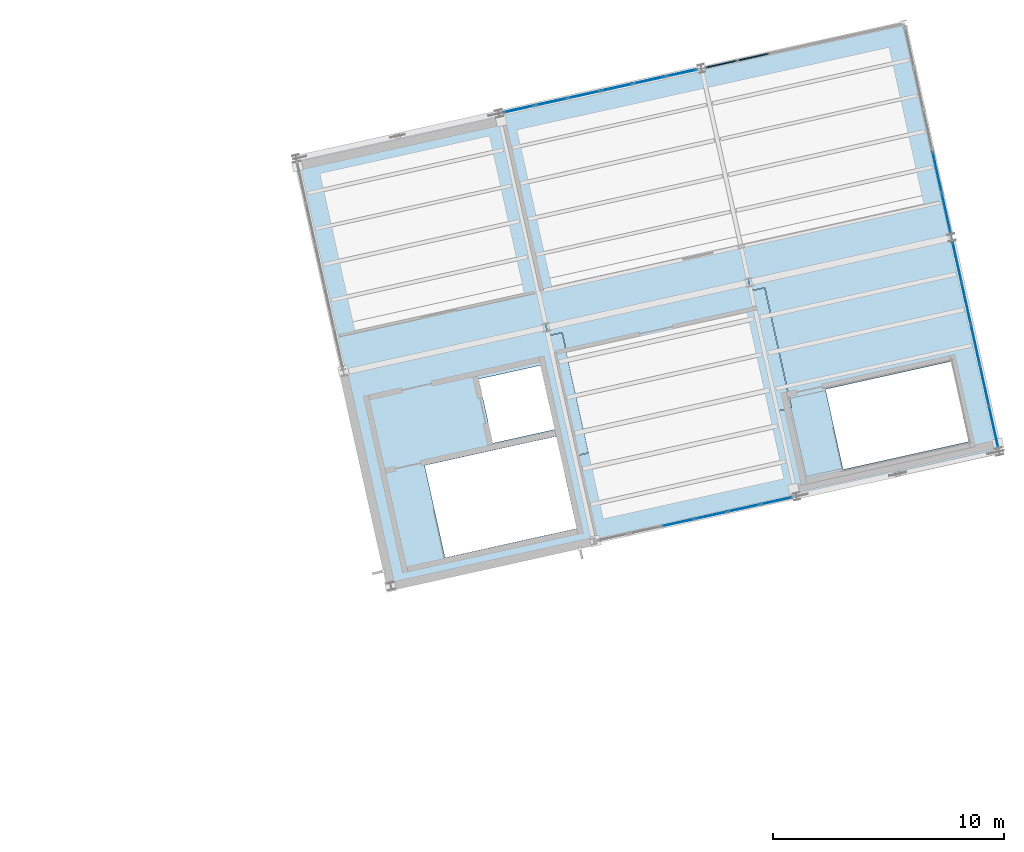
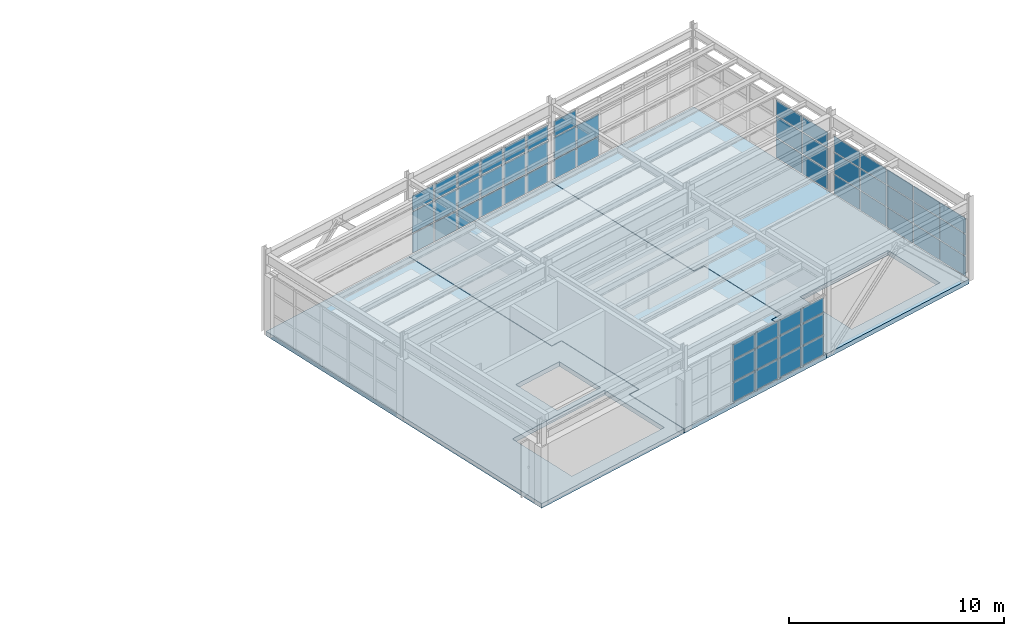
# One storey, part 39 of 59: 56 plates, 3 slabs, 5 elements without a shape of their own.
"""IFC4 building model written with IfcOpenShell, lengths in metres."""

from ifc_helpers import new_model, si_unit, direction, frame, origin, origin_2d, place, context, subcontext, project, spatial, polyline, rectangle, outline, extrude, material, layer, layer_set, type_object, element, aggregate, save


model = new_model("IFC4")

# Units and contexts
model_context = context("Model", 3, precision=1e-05, world=origin(), true_north=direction((0.0, 1.0)))
body_context = subcontext(model_context, "Body", "Model", "MODEL_VIEW")
ifc_project = project(units=[si_unit("LENGTHUNIT", "METRE"), si_unit("AREAUNIT", "SQUARE_METRE"), si_unit("VOLUMEUNIT", "CUBIC_METRE"), si_unit("PLANEANGLEUNIT", "RADIAN"), si_unit("MASSUNIT", "GRAM", prefix="KILO")], contexts=[model_context])

# Site, building, storey
site_placement = place(None, origin())
site = spatial("IfcSite", under=ifc_project, at=site_placement, CompositionType="ELEMENT")
building_placement = place(site_placement, origin())
building = spatial("IfcBuilding", under=site, at=building_placement, Name="Vireo Bluff Cable Station", CompositionType="ELEMENT")
storey_placement = place(building_placement, frame((0.0, 0.0, 14.39990234375)))
storey = spatial("IfcBuildingStorey", under=building, at=storey_placement, Name="L03", CompositionType="ELEMENT", Elevation=14.39990234375)

# Curtain wall, plates
ifc_material_1 = material(Name="Anodized Aluminium 6063-T6", Category="aluminium")
ifc_layer_1 = layer(ifc_material_1, 0.159912109375, Name="Anodized Aluminium 6063-T6")
ifc_layer_set_1 = layer_set([ifc_layer_1], Name="Anodized Aluminium 6063-T6")
curtain_wall_type_1 = type_object("IfcCurtainWallType", Name="CW-STICK-1850", PredefinedType="USERDEFINED", material=ifc_layer_set_1)
curtain_wall_1_placement = place(storey_placement, origin())
curtain_wall_1 = element("IfcCurtainWall", 1, at=curtain_wall_1_placement, inside=storey, type_object=curtain_wall_type_1, Name="V2 L03 east curtain wall CW-065", ObjectType="STICK CURTAIN WALL", PredefinedType="USERDEFINED")
ifc_material_2 = material(Name="Laminated Low-E Insulated Glass", Category="glass")
ifc_layer_2 = layer(ifc_material_2, 0.028076171875, Name="Laminated Low-E Insulated Glass")
ifc_layer_set_2 = layer_set([ifc_layer_2], Name="Laminated Low-E Insulated Glass")
plate_type_1 = type_object("IfcPlateType", Name="CWP-28-1", PredefinedType="CURTAIN_PANEL", material=ifc_layer_set_2)
plate_1_placement = place(storey_placement, frame((156.402099609375, 103.193603515625, 0.0751953125), z_axis=(0.0, 0.0, 1.0), x_axis=(0.216439563688, -0.97629601826, 0.0)))
plate_1 = element("IfcPlate", 2, at=plate_1_placement, type_object=plate_type_1, Name="CW-065 panel 4.1", PredefinedType="CURTAIN_PANEL", context=body_context, shape_type="SweptSolid", body=[
    extrude(rectangle(XDim=1.766357421875, YDim=0.028076171875, at=origin_2d()), origin(), (0.0, 0.0, 1.0), 1.077392578125),
])
plate_2_placement = place(storey_placement, frame((156.402099609375, 103.193603515625, 1.2275390625), z_axis=(0.0, 0.0, 1.0), x_axis=(0.216439563688, -0.97629601826, 0.0)))
plate_2 = element("IfcPlate", 3, at=plate_2_placement, type_object=plate_type_1, Name="CW-065 panel 4.2", PredefinedType="CURTAIN_PANEL", context=body_context, shape_type="SweptSolid", body=[
    extrude(rectangle(XDim=1.766357421875, YDim=0.028076171875, at=origin_2d()), origin(), (0.0, 0.0, 1.0), 1.18310546875),
])
plate_3_placement = place(storey_placement, frame((156.402099609375, 103.193603515625, 2.4853515625), z_axis=(0.0, 0.0, 1.0), x_axis=(0.216439563688, -0.97629601826, 0.0)))
plate_3 = element("IfcPlate", 4, at=plate_3_placement, type_object=plate_type_1, Name="CW-065 panel 4.3", PredefinedType="CURTAIN_PANEL", context=body_context, shape_type="SweptSolid", body=[
    extrude(rectangle(XDim=1.766357421875, YDim=0.028076171875, at=origin_2d()), origin(), (0.0, 0.0, 1.0), 0.839599609375),
])
plate_4_placement = place(storey_placement, frame((156.79638671875, 101.414306640625, 0.0751953125), z_axis=(0.0, 0.0, 1.0), x_axis=(0.216439563688, -0.97629601826, 0.0)))
plate_4 = element("IfcPlate", 5, at=plate_4_placement, type_object=plate_type_1, Name="CW-065 panel 5.1", PredefinedType="CURTAIN_PANEL", context=body_context, shape_type="SweptSolid", body=[
    extrude(rectangle(XDim=1.728759765625, YDim=0.028076171875, at=origin_2d()), origin(), (0.0, 0.0, 1.0), 1.077392578125),
])
plate_5_placement = place(storey_placement, frame((156.79638671875, 101.414306640625, 1.2275390625), z_axis=(0.0, 0.0, 1.0), x_axis=(0.216439563688, -0.97629601826, 0.0)))
plate_5 = element("IfcPlate", 6, at=plate_5_placement, type_object=plate_type_1, Name="CW-065 panel 5.2", PredefinedType="CURTAIN_PANEL", context=body_context, shape_type="SweptSolid", body=[
    extrude(rectangle(XDim=1.728759765625, YDim=0.028076171875, at=origin_2d()), origin(), (0.0, 0.0, 1.0), 1.18310546875),
])
plate_6_placement = place(storey_placement, frame((156.79638671875, 101.414306640625, 2.4853515625), z_axis=(0.0, 0.0, 1.0), x_axis=(0.216439563688, -0.97629601826, 0.0)))
plate_6 = element("IfcPlate", 7, at=plate_6_placement, type_object=plate_type_1, Name="CW-065 panel 5.3", PredefinedType="CURTAIN_PANEL", context=body_context, shape_type="SweptSolid", body=[
    extrude(rectangle(XDim=1.728759765625, YDim=0.028076171875, at=origin_2d()), origin(), (0.0, 0.0, 1.0), 0.839599609375),
])
aggregate(curtain_wall_1, [plate_1, plate_2, plate_3, plate_4, plate_5, plate_6])

ifc_layer_3 = layer(ifc_material_1, 0.179931640625, Name="Anodized Aluminium 6063-T6")
ifc_layer_set_3 = layer_set([ifc_layer_3], Name="Anodized Aluminium 6063-T6")
curtain_wall_type_2 = type_object("IfcCurtainWallType", Name="CW-UNIT-1500", PredefinedType="USERDEFINED", material=ifc_layer_set_3)
curtain_wall_2_placement = place(storey_placement, origin())
curtain_wall_2 = element("IfcCurtainWall", 8, at=curtain_wall_2_placement, inside=storey, type_object=curtain_wall_type_2, Name="V2 L03 south curtain wall CW-061", ObjectType="UNITISED CURTAIN WALL", PredefinedType="USERDEFINED")
ifc_layer_4 = layer(ifc_material_2, 0.031982421875, Name="Laminated Low-E Insulated Glass")
ifc_layer_set_4 = layer_set([ifc_layer_4], Name="Laminated Low-E Insulated Glass")
plate_type_2 = type_object("IfcPlateType", Name="CWP-32-2", PredefinedType="CURTAIN_PANEL", material=ifc_layer_set_4)
plate_7_placement = place(storey_placement, frame((149.4462890625, 88.928466796875, 0.0751953125), z_axis=(0.0, 0.0, 1.0), x_axis=(-0.976296008914, -0.216439605844, 0.0)))
plate_7 = element("IfcPlate", 9, at=plate_7_placement, type_object=plate_type_2, Name="CW-061 panel 1.1", PredefinedType="CURTAIN_PANEL", context=body_context, shape_type="SweptSolid", body=[
    extrude(rectangle(XDim=1.3486328125, YDim=0.031982421875, at=origin_2d()), origin(), (0.0, 0.0, 1.0), 1.077392578125),
])
plate_8_placement = place(storey_placement, frame((149.4462890625, 88.928466796875, 1.2275390625), z_axis=(0.0, 0.0, 1.0), x_axis=(-0.976296008914, -0.216439605844, 0.0)))
plate_8 = element("IfcPlate", 10, at=plate_8_placement, type_object=plate_type_2, Name="CW-061 panel 1.2", PredefinedType="CURTAIN_PANEL", context=body_context, shape_type="SweptSolid", body=[
    extrude(rectangle(XDim=1.3486328125, YDim=0.031982421875, at=origin_2d()), origin(), (0.0, 0.0, 1.0), 1.18310546875),
])
plate_9_placement = place(storey_placement, frame((149.4462890625, 88.928466796875, 2.4853515625), z_axis=(0.0, 0.0, 1.0), x_axis=(-0.976296008914, -0.216439605844, 0.0)))
plate_9 = element("IfcPlate", 11, at=plate_9_placement, type_object=plate_type_2, Name="CW-061 panel 1.3", PredefinedType="CURTAIN_PANEL", context=body_context, shape_type="SweptSolid", body=[
    extrude(rectangle(XDim=1.3486328125, YDim=0.031982421875, at=origin_2d()), origin(), (0.0, 0.0, 1.0), 0.839599609375),
])
plate_10_placement = place(storey_placement, frame((148.0380859375, 88.616455078125, 0.0751953125), z_axis=(0.0, 0.0, 1.0), x_axis=(-0.976296008914, -0.216439605844, 0.0)))
plate_10 = element("IfcPlate", 12, at=plate_10_placement, type_object=plate_type_2, Name="CW-061 panel 2.1", PredefinedType="CURTAIN_PANEL", context=body_context, shape_type="SweptSolid", body=[
    extrude(rectangle(XDim=1.38623046875, YDim=0.031982421875, at=origin_2d()), origin(), (0.0, 0.0, 1.0), 1.077392578125),
])
plate_11_placement = place(storey_placement, frame((148.0380859375, 88.616455078125, 1.2275390625), z_axis=(0.0, 0.0, 1.0), x_axis=(-0.976296008914, -0.216439605844, 0.0)))
plate_11 = element("IfcPlate", 13, at=plate_11_placement, type_object=plate_type_2, Name="CW-061 panel 2.2", PredefinedType="CURTAIN_PANEL", context=body_context, shape_type="SweptSolid", body=[
    extrude(rectangle(XDim=1.38623046875, YDim=0.031982421875, at=origin_2d()), origin(), (0.0, 0.0, 1.0), 1.18310546875),
])
plate_12_placement = place(storey_placement, frame((148.0380859375, 88.616455078125, 2.4853515625), z_axis=(0.0, 0.0, 1.0), x_axis=(-0.976296008914, -0.216439605844, 0.0)))
plate_12 = element("IfcPlate", 14, at=plate_12_placement, type_object=plate_type_2, Name="CW-061 panel 2.3", PredefinedType="CURTAIN_PANEL", context=body_context, shape_type="SweptSolid", body=[
    extrude(rectangle(XDim=1.38623046875, YDim=0.031982421875, at=origin_2d()), origin(), (0.0, 0.0, 1.0), 0.839599609375),
])
plate_13_placement = place(storey_placement, frame((146.611572265625, 88.300048828125, 0.0751953125), z_axis=(0.0, 0.0, 1.0), x_axis=(-0.976296008914, -0.216439605844, 0.0)))
plate_13 = element("IfcPlate", 15, at=plate_13_placement, type_object=plate_type_2, Name="CW-061 panel 3.1", PredefinedType="CURTAIN_PANEL", context=body_context, shape_type="SweptSolid", body=[
    extrude(rectangle(XDim=1.38623046875, YDim=0.031982421875, at=origin_2d()), origin(), (0.0, 0.0, 1.0), 1.077392578125),
])
plate_14_placement = place(storey_placement, frame((146.611572265625, 88.300048828125, 1.2275390625), z_axis=(0.0, 0.0, 1.0), x_axis=(-0.976296008914, -0.216439605844, 0.0)))
plate_14 = element("IfcPlate", 16, at=plate_14_placement, type_object=plate_type_2, Name="CW-061 panel 3.2", PredefinedType="CURTAIN_PANEL", context=body_context, shape_type="SweptSolid", body=[
    extrude(rectangle(XDim=1.38623046875, YDim=0.031982421875, at=origin_2d()), origin(), (0.0, 0.0, 1.0), 1.18310546875),
])
plate_15_placement = place(storey_placement, frame((146.611572265625, 88.300048828125, 2.4853515625), z_axis=(0.0, 0.0, 1.0), x_axis=(-0.976296008914, -0.216439605844, 0.0)))
plate_15 = element("IfcPlate", 17, at=plate_15_placement, type_object=plate_type_2, Name="CW-061 panel 3.3", PredefinedType="CURTAIN_PANEL", context=body_context, shape_type="SweptSolid", body=[
    extrude(rectangle(XDim=1.38623046875, YDim=0.031982421875, at=origin_2d()), origin(), (0.0, 0.0, 1.0), 0.839599609375),
])
plate_16_placement = place(storey_placement, frame((145.18505859375, 87.98388671875, 0.0751953125), z_axis=(0.0, 0.0, 1.0), x_axis=(-0.976296008914, -0.216439605844, 0.0)))
plate_16 = element("IfcPlate", 18, at=plate_16_placement, type_object=plate_type_2, Name="CW-061 panel 4.1", PredefinedType="CURTAIN_PANEL", context=body_context, shape_type="SweptSolid", body=[
    extrude(rectangle(XDim=1.38623046875, YDim=0.031982421875, at=origin_2d()), origin(), (0.0, 0.0, 1.0), 1.077392578125),
])
plate_17_placement = place(storey_placement, frame((145.18505859375, 87.98388671875, 1.2275390625), z_axis=(0.0, 0.0, 1.0), x_axis=(-0.976296008914, -0.216439605844, 0.0)))
plate_17 = element("IfcPlate", 19, at=plate_17_placement, type_object=plate_type_2, Name="CW-061 panel 4.2", PredefinedType="CURTAIN_PANEL", context=body_context, shape_type="SweptSolid", body=[
    extrude(rectangle(XDim=1.38623046875, YDim=0.031982421875, at=origin_2d()), origin(), (0.0, 0.0, 1.0), 1.18310546875),
])
plate_18_placement = place(storey_placement, frame((145.18505859375, 87.98388671875, 2.4853515625), z_axis=(0.0, 0.0, 1.0), x_axis=(-0.976296008914, -0.216439605844, 0.0)))
plate_18 = element("IfcPlate", 20, at=plate_18_placement, type_object=plate_type_2, Name="CW-061 panel 4.3", PredefinedType="CURTAIN_PANEL", context=body_context, shape_type="SweptSolid", body=[
    extrude(rectangle(XDim=1.38623046875, YDim=0.031982421875, at=origin_2d()), origin(), (0.0, 0.0, 1.0), 0.839599609375),
])
aggregate(curtain_wall_2, [plate_7, plate_8, plate_9, plate_10, plate_11, plate_12, plate_13, plate_14, plate_15, plate_16, plate_17, plate_18])

ifc_layer_5 = layer(ifc_material_1, 0.159912109375, Name="Anodized Aluminium 6063-T6")
ifc_layer_set_5 = layer_set([ifc_layer_5], Name="Anodized Aluminium 6063-T6")
curtain_wall_type_3 = type_object("IfcCurtainWallType", Name="CW-STICK-1750", PredefinedType="USERDEFINED", material=ifc_layer_set_5)
curtain_wall_3_placement = place(storey_placement, origin())
curtain_wall_3 = element("IfcCurtainWall", 21, at=curtain_wall_3_placement, inside=storey, type_object=curtain_wall_type_3, Name="V2 L03 east curtain wall CW-066", ObjectType="STICK CURTAIN WALL", PredefinedType="USERDEFINED")
plate_19_placement = place(storey_placement, frame((157.270751953125, 99.274658203125, 0.06005859375), z_axis=(0.0, 0.0, 1.0), x_axis=(0.216439595757, -0.976296011151, 0.0)))
plate_19 = element("IfcPlate", 22, at=plate_19_placement, type_object=plate_type_2, Name="CW-066 panel 1.1", PredefinedType="CURTAIN_PANEL", context=body_context, shape_type="SweptSolid", body=[
    extrude(rectangle(XDim=1.74609375, YDim=0.031982421875, at=origin_2d()), origin(), (0.0, 0.0, 1.0), 1.10009765625),
])
plate_20_placement = place(storey_placement, frame((157.270751953125, 99.274658203125, 1.22021484375), z_axis=(0.0, 0.0, 1.0), x_axis=(0.216439595757, -0.976296011151, 0.0)))
plate_20 = element("IfcPlate", 23, at=plate_20_placement, type_object=plate_type_2, Name="CW-066 panel 1.2", PredefinedType="CURTAIN_PANEL", context=body_context, shape_type="SweptSolid", body=[
    extrude(rectangle(XDim=1.74609375, YDim=0.031982421875, at=origin_2d()), origin(), (0.0, 0.0, 1.0), 1.197998046875),
])
plate_21_placement = place(storey_placement, frame((157.270751953125, 99.274658203125, 2.47802734375), z_axis=(0.0, 0.0, 1.0), x_axis=(0.216439595757, -0.976296011151, 0.0)))
plate_21 = element("IfcPlate", 24, at=plate_21_placement, type_object=plate_type_2, Name="CW-066 panel 1.3", PredefinedType="CURTAIN_PANEL", context=body_context, shape_type="SweptSolid", body=[
    extrude(rectangle(XDim=1.74609375, YDim=0.031982421875, at=origin_2d()), origin(), (0.0, 0.0, 1.0), 0.862060546875),
])
plate_22_placement = place(storey_placement, frame((157.6650390625, 97.496826171875, 0.06005859375), z_axis=(0.0, 0.0, 1.0), x_axis=(0.216439595757, -0.976296011151, 0.0)))
plate_22 = element("IfcPlate", 25, at=plate_22_placement, type_object=plate_type_2, Name="CW-066 panel 2.1", PredefinedType="CURTAIN_PANEL", context=body_context, shape_type="SweptSolid", body=[
    extrude(rectangle(XDim=1.776123046875, YDim=0.031982421875, at=origin_2d()), origin(), (0.0, 0.0, 1.0), 1.10009765625),
])
plate_23_placement = place(storey_placement, frame((157.6650390625, 97.496826171875, 1.22021484375), z_axis=(0.0, 0.0, 1.0), x_axis=(0.216439595757, -0.976296011151, 0.0)))
plate_23 = element("IfcPlate", 26, at=plate_23_placement, type_object=plate_type_2, Name="CW-066 panel 2.2", PredefinedType="CURTAIN_PANEL", context=body_context, shape_type="SweptSolid", body=[
    extrude(rectangle(XDim=1.776123046875, YDim=0.031982421875, at=origin_2d()), origin(), (0.0, 0.0, 1.0), 1.197998046875),
])
plate_24_placement = place(storey_placement, frame((157.6650390625, 97.496826171875, 2.47802734375), z_axis=(0.0, 0.0, 1.0), x_axis=(0.216439595757, -0.976296011151, 0.0)))
plate_24 = element("IfcPlate", 27, at=plate_24_placement, type_object=plate_type_2, Name="CW-066 panel 2.3", PredefinedType="CURTAIN_PANEL", context=body_context, shape_type="SweptSolid", body=[
    extrude(rectangle(XDim=1.776123046875, YDim=0.031982421875, at=origin_2d()), origin(), (0.0, 0.0, 1.0), 0.862060546875),
])
plate_25_placement = place(storey_placement, frame((158.0625, 95.7041015625, 0.06005859375), z_axis=(0.0, 0.0, 1.0), x_axis=(0.216439595757, -0.976296011151, 0.0)))
plate_25 = element("IfcPlate", 28, at=plate_25_placement, type_object=plate_type_2, Name="CW-066 panel 3.1", PredefinedType="CURTAIN_PANEL", context=body_context, shape_type="SweptSolid", body=[
    extrude(rectangle(XDim=1.776123046875, YDim=0.031982421875, at=origin_2d()), origin(), (0.0, 0.0, 1.0), 1.10009765625),
])
plate_26_placement = place(storey_placement, frame((158.0625, 95.7041015625, 1.22021484375), z_axis=(0.0, 0.0, 1.0), x_axis=(0.216439595757, -0.976296011151, 0.0)))
plate_26 = element("IfcPlate", 29, at=plate_26_placement, type_object=plate_type_2, Name="CW-066 panel 3.2", PredefinedType="CURTAIN_PANEL", context=body_context, shape_type="SweptSolid", body=[
    extrude(rectangle(XDim=1.776123046875, YDim=0.031982421875, at=origin_2d()), origin(), (0.0, 0.0, 1.0), 1.197998046875),
])
plate_27_placement = place(storey_placement, frame((158.0625, 95.7041015625, 2.47802734375), z_axis=(0.0, 0.0, 1.0), x_axis=(0.216439595757, -0.976296011151, 0.0)))
plate_27 = element("IfcPlate", 30, at=plate_27_placement, type_object=plate_type_2, Name="CW-066 panel 3.3", PredefinedType="CURTAIN_PANEL", context=body_context, shape_type="SweptSolid", body=[
    extrude(rectangle(XDim=1.776123046875, YDim=0.031982421875, at=origin_2d()), origin(), (0.0, 0.0, 1.0), 0.862060546875),
])
plate_28_placement = place(storey_placement, frame((158.459716796875, 93.911376953125, 0.06005859375), z_axis=(0.0, 0.0, 1.0), x_axis=(0.216439595757, -0.976296011151, 0.0)))
plate_28 = element("IfcPlate", 31, at=plate_28_placement, type_object=plate_type_2, Name="CW-066 panel 4.1", PredefinedType="CURTAIN_PANEL", context=body_context, shape_type="SweptSolid", body=[
    extrude(rectangle(XDim=1.776123046875, YDim=0.031982421875, at=origin_2d()), origin(), (0.0, 0.0, 1.0), 1.10009765625),
])
plate_29_placement = place(storey_placement, frame((158.459716796875, 93.911376953125, 1.22021484375), z_axis=(0.0, 0.0, 1.0), x_axis=(0.216439595757, -0.976296011151, 0.0)))
plate_29 = element("IfcPlate", 32, at=plate_29_placement, type_object=plate_type_2, Name="CW-066 panel 4.2", PredefinedType="CURTAIN_PANEL", context=body_context, shape_type="SweptSolid", body=[
    extrude(rectangle(XDim=1.776123046875, YDim=0.031982421875, at=origin_2d()), origin(), (0.0, 0.0, 1.0), 1.197998046875),
])
plate_30_placement = place(storey_placement, frame((158.459716796875, 93.911376953125, 2.47802734375), z_axis=(0.0, 0.0, 1.0), x_axis=(0.216439595757, -0.976296011151, 0.0)))
plate_30 = element("IfcPlate", 33, at=plate_30_placement, type_object=plate_type_2, Name="CW-066 panel 4.3", PredefinedType="CURTAIN_PANEL", context=body_context, shape_type="SweptSolid", body=[
    extrude(rectangle(XDim=1.776123046875, YDim=0.031982421875, at=origin_2d()), origin(), (0.0, 0.0, 1.0), 0.862060546875),
])
plate_31_placement = place(storey_placement, frame((158.85400390625, 92.13330078125, 0.06005859375), z_axis=(0.0, 0.0, 1.0), x_axis=(0.216439595757, -0.976296011151, 0.0)))
plate_31 = element("IfcPlate", 34, at=plate_31_placement, type_object=plate_type_2, Name="CW-066 panel 5.1", PredefinedType="CURTAIN_PANEL", context=body_context, shape_type="SweptSolid", body=[
    extrude(rectangle(XDim=1.74609375, YDim=0.031982421875, at=origin_2d()), origin(), (0.0, 0.0, 1.0), 1.10009765625),
])
plate_32_placement = place(storey_placement, frame((158.85400390625, 92.13330078125, 1.22021484375), z_axis=(0.0, 0.0, 1.0), x_axis=(0.216439595757, -0.976296011151, 0.0)))
plate_32 = element("IfcPlate", 35, at=plate_32_placement, type_object=plate_type_2, Name="CW-066 panel 5.2", PredefinedType="CURTAIN_PANEL", context=body_context, shape_type="SweptSolid", body=[
    extrude(rectangle(XDim=1.74609375, YDim=0.031982421875, at=origin_2d()), origin(), (0.0, 0.0, 1.0), 1.197998046875),
])
plate_33_placement = place(storey_placement, frame((158.85400390625, 92.13330078125, 2.47802734375), z_axis=(0.0, 0.0, 1.0), x_axis=(0.216439595757, -0.976296011151, 0.0)))
plate_33 = element("IfcPlate", 36, at=plate_33_placement, type_object=plate_type_2, Name="CW-066 panel 5.3", PredefinedType="CURTAIN_PANEL", context=body_context, shape_type="SweptSolid", body=[
    extrude(rectangle(XDim=1.74609375, YDim=0.031982421875, at=origin_2d()), origin(), (0.0, 0.0, 1.0), 0.862060546875),
])
aggregate(curtain_wall_3, [plate_19, plate_20, plate_21, plate_22, plate_23, plate_24, plate_25, plate_26, plate_27, plate_28, plate_29, plate_30, plate_31, plate_32, plate_33])

ifc_layer_6 = layer(ifc_material_1, 0.179931640625, Name="Anodized Aluminium 6063-T6")
ifc_layer_set_6 = layer_set([ifc_layer_6], Name="Anodized Aluminium 6063-T6")
curtain_wall_type_4 = type_object("IfcCurtainWallType", Name="CW-UNIT-1400", PredefinedType="USERDEFINED", material=ifc_layer_set_6)
curtain_wall_4_placement = place(storey_placement, origin())
curtain_wall_4 = element("IfcCurtainWall", 37, at=curtain_wall_4_placement, inside=storey, type_object=curtain_wall_type_4, Name="V2 L03 north curtain wall CW-063", ObjectType="UNITISED CURTAIN WALL", PredefinedType="USERDEFINED")
ifc_material_3 = material(Name="Insulated Spandrel Glass Panel", Category="glass")
ifc_layer_7 = layer(ifc_material_3, 0.0419921875, Name="Insulated Spandrel Glass Panel")
ifc_layer_set_7 = layer_set([ifc_layer_7], Name="Insulated Spandrel Glass Panel")
plate_type_3 = type_object("IfcPlateType", Name="CWP-42-4", PredefinedType="CURTAIN_PANEL", material=ifc_layer_set_7)
plate_34_placement = place(storey_placement, frame((138.28515625, 105.91552734375, 0.080078125), z_axis=(0.0, 0.0, 1.0), x_axis=(0.976296018963, 0.216439560519, 0.0)))
plate_34 = element("IfcPlate", 38, at=plate_34_placement, type_object=plate_type_3, Name="CW-063 panel 1.1", PredefinedType="CURTAIN_PANEL", context=body_context, shape_type="SweptSolid", body=[
    extrude(rectangle(XDim=1.33251953125, YDim=0.0419921875, at=origin_2d()), origin(), (0.0, 0.0, 1.0), 1.070068359375),
])
plate_35_placement = place(storey_placement, frame((138.28515625, 105.91552734375, 1.22998046875), z_axis=(0.0, 0.0, 1.0), x_axis=(0.976296018963, 0.216439560519, 0.0)))
plate_35 = element("IfcPlate", 39, at=plate_35_placement, type_object=plate_type_3, Name="CW-063 panel 1.2", PredefinedType="CURTAIN_PANEL", context=body_context, shape_type="SweptSolid", body=[
    extrude(rectangle(XDim=1.33251953125, YDim=0.0419921875, at=origin_2d()), origin(), (0.0, 0.0, 1.0), 1.177978515625),
])
plate_36_placement = place(storey_placement, frame((138.28515625, 105.91552734375, 2.488037109375), z_axis=(0.0, 0.0, 1.0), x_axis=(0.976296018963, 0.216439560519, 0.0)))
plate_36 = element("IfcPlate", 40, at=plate_36_placement, type_object=plate_type_3, Name="CW-063 panel 1.3", PredefinedType="CURTAIN_PANEL", context=body_context, shape_type="SweptSolid", body=[
    extrude(rectangle(XDim=1.33251953125, YDim=0.0419921875, at=origin_2d()), origin(), (0.0, 0.0, 1.0), 0.83203125),
])
plate_37_placement = place(storey_placement, frame((139.683837890625, 106.2255859375, 0.080078125), z_axis=(0.0, 0.0, 1.0), x_axis=(0.976296018963, 0.216439560519, 0.0)))
plate_37 = element("IfcPlate", 41, at=plate_37_placement, type_object=plate_type_3, Name="CW-063 panel 2.1", PredefinedType="CURTAIN_PANEL", context=body_context, shape_type="SweptSolid", body=[
    extrude(rectangle(XDim=1.37255859375, YDim=0.0419921875, at=origin_2d()), origin(), (0.0, 0.0, 1.0), 1.070068359375),
])
plate_38_placement = place(storey_placement, frame((139.683837890625, 106.2255859375, 1.22998046875), z_axis=(0.0, 0.0, 1.0), x_axis=(0.976296018963, 0.216439560519, 0.0)))
plate_38 = element("IfcPlate", 42, at=plate_38_placement, type_object=plate_type_3, Name="CW-063 panel 2.2", PredefinedType="CURTAIN_PANEL", context=body_context, shape_type="SweptSolid", body=[
    extrude(rectangle(XDim=1.37255859375, YDim=0.0419921875, at=origin_2d()), origin(), (0.0, 0.0, 1.0), 1.177978515625),
])
plate_39_placement = place(storey_placement, frame((139.683837890625, 106.2255859375, 2.488037109375), z_axis=(0.0, 0.0, 1.0), x_axis=(0.976296018963, 0.216439560519, 0.0)))
plate_39 = element("IfcPlate", 43, at=plate_39_placement, type_object=plate_type_3, Name="CW-063 panel 2.3", PredefinedType="CURTAIN_PANEL", context=body_context, shape_type="SweptSolid", body=[
    extrude(rectangle(XDim=1.37255859375, YDim=0.0419921875, at=origin_2d()), origin(), (0.0, 0.0, 1.0), 0.83203125),
])
plate_40_placement = place(storey_placement, frame((141.10205078125, 106.5400390625, 0.080078125), z_axis=(0.0, 0.0, 1.0), x_axis=(0.976296018963, 0.216439560519, 0.0)))
plate_40 = element("IfcPlate", 44, at=plate_40_placement, type_object=plate_type_3, Name="CW-063 panel 3.1", PredefinedType="CURTAIN_PANEL", context=body_context, shape_type="SweptSolid", body=[
    extrude(rectangle(XDim=1.37255859375, YDim=0.0419921875, at=origin_2d()), origin(), (0.0, 0.0, 1.0), 1.070068359375),
])
plate_41_placement = place(storey_placement, frame((141.10205078125, 106.5400390625, 1.22998046875), z_axis=(0.0, 0.0, 1.0), x_axis=(0.976296018963, 0.216439560519, 0.0)))
plate_41 = element("IfcPlate", 45, at=plate_41_placement, type_object=plate_type_3, Name="CW-063 panel 3.2", PredefinedType="CURTAIN_PANEL", context=body_context, shape_type="SweptSolid", body=[
    extrude(rectangle(XDim=1.37255859375, YDim=0.0419921875, at=origin_2d()), origin(), (0.0, 0.0, 1.0), 1.177978515625),
])
plate_42_placement = place(storey_placement, frame((141.10205078125, 106.5400390625, 2.488037109375), z_axis=(0.0, 0.0, 1.0), x_axis=(0.976296018963, 0.216439560519, 0.0)))
plate_42 = element("IfcPlate", 46, at=plate_42_placement, type_object=plate_type_3, Name="CW-063 panel 3.3", PredefinedType="CURTAIN_PANEL", context=body_context, shape_type="SweptSolid", body=[
    extrude(rectangle(XDim=1.37255859375, YDim=0.0419921875, at=origin_2d()), origin(), (0.0, 0.0, 1.0), 0.83203125),
])
plate_43_placement = place(storey_placement, frame((142.520263671875, 106.8544921875, 0.080078125), z_axis=(0.0, 0.0, 1.0), x_axis=(0.976296018963, 0.216439560519, 0.0)))
plate_43 = element("IfcPlate", 47, at=plate_43_placement, type_object=plate_type_3, Name="CW-063 panel 4.1", PredefinedType="CURTAIN_PANEL", context=body_context, shape_type="SweptSolid", body=[
    extrude(rectangle(XDim=1.37255859375, YDim=0.0419921875, at=origin_2d()), origin(), (0.0, 0.0, 1.0), 1.070068359375),
])
plate_44_placement = place(storey_placement, frame((142.520263671875, 106.8544921875, 1.22998046875), z_axis=(0.0, 0.0, 1.0), x_axis=(0.976296018963, 0.216439560519, 0.0)))
plate_44 = element("IfcPlate", 48, at=plate_44_placement, type_object=plate_type_3, Name="CW-063 panel 4.2", PredefinedType="CURTAIN_PANEL", context=body_context, shape_type="SweptSolid", body=[
    extrude(rectangle(XDim=1.37255859375, YDim=0.0419921875, at=origin_2d()), origin(), (0.0, 0.0, 1.0), 1.177978515625),
])
plate_45_placement = place(storey_placement, frame((142.520263671875, 106.8544921875, 2.488037109375), z_axis=(0.0, 0.0, 1.0), x_axis=(0.976296018963, 0.216439560519, 0.0)))
plate_45 = element("IfcPlate", 49, at=plate_45_placement, type_object=plate_type_3, Name="CW-063 panel 4.3", PredefinedType="CURTAIN_PANEL", context=body_context, shape_type="SweptSolid", body=[
    extrude(rectangle(XDim=1.37255859375, YDim=0.0419921875, at=origin_2d()), origin(), (0.0, 0.0, 1.0), 0.83203125),
])
plate_46_placement = place(storey_placement, frame((143.938232421875, 107.168701171875, 0.080078125), z_axis=(0.0, 0.0, 1.0), x_axis=(0.976296018963, 0.216439560519, 0.0)))
plate_46 = element("IfcPlate", 50, at=plate_46_placement, type_object=plate_type_3, Name="CW-063 panel 5.1", PredefinedType="CURTAIN_PANEL", context=body_context, shape_type="SweptSolid", body=[
    extrude(rectangle(XDim=1.37255859375, YDim=0.0419921875, at=origin_2d()), origin(), (0.0, 0.0, 1.0), 1.070068359375),
])
plate_47_placement = place(storey_placement, frame((143.938232421875, 107.168701171875, 1.22998046875), z_axis=(0.0, 0.0, 1.0), x_axis=(0.976296018963, 0.216439560519, 0.0)))
plate_47 = element("IfcPlate", 51, at=plate_47_placement, type_object=plate_type_3, Name="CW-063 panel 5.2", PredefinedType="CURTAIN_PANEL", context=body_context, shape_type="SweptSolid", body=[
    extrude(rectangle(XDim=1.37255859375, YDim=0.0419921875, at=origin_2d()), origin(), (0.0, 0.0, 1.0), 1.177978515625),
])
plate_48_placement = place(storey_placement, frame((143.938232421875, 107.168701171875, 2.488037109375), z_axis=(0.0, 0.0, 1.0), x_axis=(0.976296018963, 0.216439560519, 0.0)))
plate_48 = element("IfcPlate", 52, at=plate_48_placement, type_object=plate_type_3, Name="CW-063 panel 5.3", PredefinedType="CURTAIN_PANEL", context=body_context, shape_type="SweptSolid", body=[
    extrude(rectangle(XDim=1.37255859375, YDim=0.0419921875, at=origin_2d()), origin(), (0.0, 0.0, 1.0), 0.83203125),
])
plate_49_placement = place(storey_placement, frame((145.3369140625, 107.478759765625, 0.080078125), z_axis=(0.0, 0.0, 1.0), x_axis=(0.976296018963, 0.216439560519, 0.0)))
plate_49 = element("IfcPlate", 53, at=plate_49_placement, type_object=plate_type_3, Name="CW-063 panel 6.1", PredefinedType="CURTAIN_PANEL", context=body_context, shape_type="SweptSolid", body=[
    extrude(rectangle(XDim=1.33251953125, YDim=0.0419921875, at=origin_2d()), origin(), (0.0, 0.0, 1.0), 1.070068359375),
])
plate_50_placement = place(storey_placement, frame((145.3369140625, 107.478759765625, 1.22998046875), z_axis=(0.0, 0.0, 1.0), x_axis=(0.976296018963, 0.216439560519, 0.0)))
plate_50 = element("IfcPlate", 54, at=plate_50_placement, type_object=plate_type_3, Name="CW-063 panel 6.2", PredefinedType="CURTAIN_PANEL", context=body_context, shape_type="SweptSolid", body=[
    extrude(rectangle(XDim=1.33251953125, YDim=0.0419921875, at=origin_2d()), origin(), (0.0, 0.0, 1.0), 1.177978515625),
])
plate_51_placement = place(storey_placement, frame((145.3369140625, 107.478759765625, 2.488037109375), z_axis=(0.0, 0.0, 1.0), x_axis=(0.976296018963, 0.216439560519, 0.0)))
plate_51 = element("IfcPlate", 55, at=plate_51_placement, type_object=plate_type_3, Name="CW-063 panel 6.3", PredefinedType="CURTAIN_PANEL", context=body_context, shape_type="SweptSolid", body=[
    extrude(rectangle(XDim=1.33251953125, YDim=0.0419921875, at=origin_2d()), origin(), (0.0, 0.0, 1.0), 0.83203125),
])
aggregate(curtain_wall_4, [plate_34, plate_35, plate_36, plate_37, plate_38, plate_39, plate_40, plate_41, plate_42, plate_43, plate_44, plate_45, plate_46, plate_47, plate_48, plate_49, plate_50, plate_51])

curtain_wall_5_placement = place(storey_placement, origin())
curtain_wall_5 = element("IfcCurtainWall", 56, at=curtain_wall_5_placement, inside=storey, type_object=curtain_wall_type_2, Name="V2 L03 north curtain wall CW-064", ObjectType="UNITISED CURTAIN WALL", PredefinedType="USERDEFINED")
ifc_layer_8 = layer(ifc_material_3, 0.048095703125, Name="Insulated Spandrel Glass Panel")
ifc_layer_set_8 = layer_set([ifc_layer_8], Name="Insulated Spandrel Glass Panel")
plate_type_4 = type_object("IfcPlateType", Name="CWP-48-5", PredefinedType="CURTAIN_PANEL", material=ifc_layer_set_8)
plate_52_placement = place(storey_placement, frame((147.04443359375, 107.857421875, 0.06494140625), z_axis=(0.0, 0.0, 1.0), x_axis=(0.976295997736, 0.216439656264, 0.0)))
plate_52 = element("IfcPlate", 57, at=plate_52_placement, type_object=plate_type_4, Name="CW-064 panel 1.1", PredefinedType="CURTAIN_PANEL", context=body_context, shape_type="SweptSolid", body=[
    extrude(rectangle(XDim=1.359130859375, YDim=0.048095703125, at=origin_2d()), origin(), (0.0, 0.0, 1.0), 1.092529296875),
])
plate_53_placement = place(storey_placement, frame((147.04443359375, 107.857421875, 1.22265625), z_axis=(0.0, 0.0, 1.0), x_axis=(0.976295997736, 0.216439656264, 0.0)))
plate_53 = element("IfcPlate", 58, at=plate_53_placement, type_object=plate_type_4, Name="CW-064 panel 1.2", PredefinedType="CURTAIN_PANEL", context=body_context, shape_type="SweptSolid", body=[
    extrude(rectangle(XDim=1.359130859375, YDim=0.048095703125, at=origin_2d()), origin(), (0.0, 0.0, 1.0), 1.193115234375),
])
plate_54_placement = place(storey_placement, frame((147.04443359375, 107.857421875, 2.480712890625), z_axis=(0.0, 0.0, 1.0), x_axis=(0.976295997736, 0.216439656264, 0.0)))
plate_54 = element("IfcPlate", 59, at=plate_54_placement, type_object=plate_type_4, Name="CW-064 panel 1.3", PredefinedType="CURTAIN_PANEL", context=body_context, shape_type="SweptSolid", body=[
    extrude(rectangle(XDim=1.359130859375, YDim=0.048095703125, at=origin_2d()), origin(), (0.0, 0.0, 1.0), 0.8544921875),
])
plate_55_placement = place(storey_placement, frame((148.45068359375, 108.169189453125, 0.06494140625), z_axis=(0.0, 0.0, 1.0), x_axis=(0.976295997736, 0.216439656264, 0.0)))
plate_55 = element("IfcPlate", 60, at=plate_55_placement, type_object=plate_type_4, Name="CW-064 panel 2.1", PredefinedType="CURTAIN_PANEL", context=body_context, shape_type="SweptSolid", body=[
    extrude(rectangle(XDim=1.391845703125, YDim=0.048095703125, at=origin_2d()), origin(), (0.0, 0.0, 1.0), 1.092529296875),
])
plate_56_placement = place(storey_placement, frame((148.45068359375, 108.169189453125, 1.22265625), z_axis=(0.0, 0.0, 1.0), x_axis=(0.976295997736, 0.216439656264, 0.0)))
plate_56 = element("IfcPlate", 61, at=plate_56_placement, type_object=plate_type_4, Name="CW-064 panel 2.2", PredefinedType="CURTAIN_PANEL", context=body_context, shape_type="SweptSolid", body=[
    extrude(rectangle(XDim=1.391845703125, YDim=0.048095703125, at=origin_2d()), origin(), (0.0, 0.0, 1.0), 1.193115234375),
])
aggregate(curtain_wall_5, [plate_52, plate_53, plate_54, plate_55, plate_56])

# Slabs
ifc_material_4 = material(Name="Concrete f'c 40 MPa", Category="concrete")
ifc_layer_9 = layer(ifc_material_4, 0.260009765625, Name="Concrete f'c 40 MPa")
ifc_layer_set_9 = layer_set([ifc_layer_9], Name="Concrete f'c 40 MPa")
slab_type = type_object("IfcSlabType", Name="FLOORSLAB-260", PredefinedType="FLOOR", material=ifc_layer_set_9)
slab_1_placement = place(storey_placement, frame((0.0, 0.0, -0.260009765625)))
element("IfcSlab", 62, at=slab_1_placement, inside=storey, type_object=slab_type, Name="V2 L03 floor slab bay 1", PredefinedType="FLOOR", context=body_context, shape_type="SweptSolid", body=[
    extrude(outline(polyline([(132.73046875, 85.22265625), (141.50732421875, 87.16845703125), (140.684814453125, 90.87841796875), (141.290283203125, 91.0126953125), (140.138671875, 96.20654296875), (139.533447265625, 96.072265625), (137.39501953125, 105.71826171875), (128.6181640625, 103.7724609375), (132.73046875, 85.22265625)]), holes=[polyline([(135.069091796875, 86.458984375), (134.18212890625, 90.460205078125), (139.891845703125, 91.72607421875), (140.77880859375, 87.724853515625), (135.069091796875, 86.458984375)]), polyline([(137.143310546875, 91.42578125), (136.52685546875, 94.20654296875), (139.2099609375, 94.801513671875), (139.82666015625, 92.0205078125), (137.143310546875, 91.42578125)])]), origin(), (0.0, 0.0, 1.0), 0.260009765625),
])
slab_2_placement = place(storey_placement, frame((0.0, 0.0, -0.260009765625)))
element("IfcSlab", 63, at=slab_2_placement, inside=storey, type_object=slab_type, Name="V2 L03 floor slab bay 2", PredefinedType="FLOOR", context=body_context, shape_type="SweptSolid", body=[
    extrude(outline(polyline([(141.52685546875, 87.1728515625), (150.2939453125, 89.116455078125), (149.4716796875, 92.826416015625), (150.076904296875, 92.960693359375), (148.925537109375, 98.154541015625), (148.320068359375, 98.020263671875), (146.181640625, 107.666259765625), (137.41455078125, 105.722412109375), (139.548583984375, 96.09619140625), (140.154052734375, 96.23046875), (141.31396484375, 90.99755859375), (140.708740234375, 90.86328125), (141.52685546875, 87.1728515625)])), origin(), (0.0, 0.0, 1.0), 0.260009765625),
])
slab_3_placement = place(storey_placement, frame((0.0, 0.0, -0.260009765625)))
element("IfcSlab", 64, at=slab_3_placement, inside=storey, type_object=slab_type, Name="V2 L03 floor slab bay 3", PredefinedType="FLOOR", context=body_context, shape_type="SweptSolid", body=[
    extrude(outline(polyline([(150.3134765625, 89.120849609375), (159.090576171875, 91.066650390625), (154.97802734375, 109.6162109375), (146.201171875, 107.67041015625), (148.335205078125, 98.044189453125), (148.940673828125, 98.178466796875), (150.100830078125, 92.945556640625), (149.495361328125, 92.811279296875), (150.3134765625, 89.120849609375)]), holes=[polyline([(152.330078125, 90.28564453125), (151.559814453125, 93.759765625), (156.996337890625, 94.965087890625), (157.766357421875, 91.490966796875), (152.330078125, 90.28564453125)])]), origin(), (0.0, 0.0, 1.0), 0.260009765625),
])

save(model, "model.ifc")
